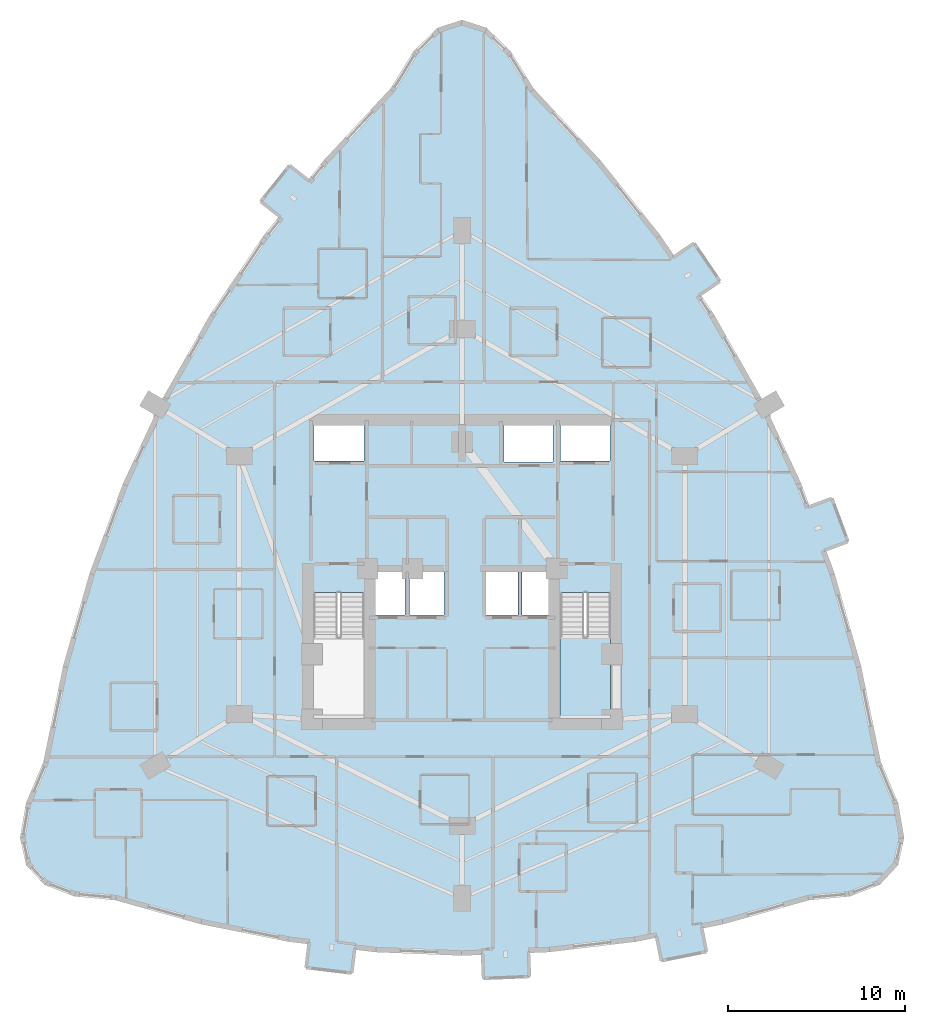
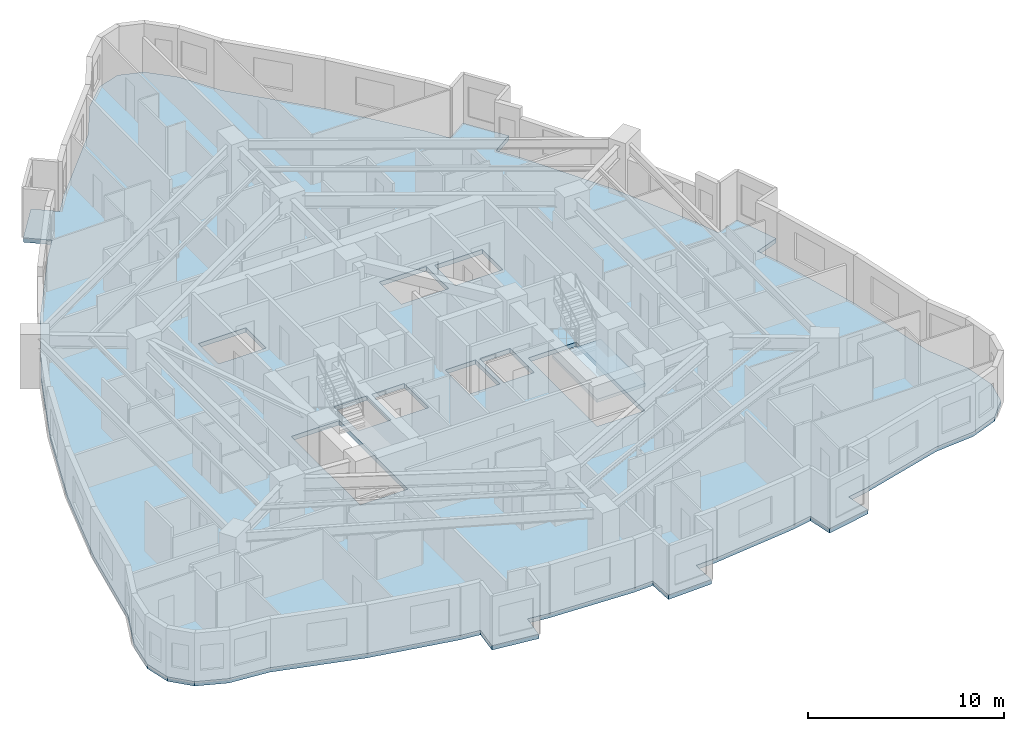
# One storey, part 4 of 15: 2 slabs, 1 element without a shape of its own.
"""IFC4 building model written with IfcOpenShell, lengths in metres."""

from ifc_helpers import new_model, si_unit, direction, frame, origin, place, context, subcontext, project, spatial, polyline, outline, extrude, material, layer, layer_set, type_object, element, aggregate, save


model = new_model("IFC4")

# Units and contexts
model_context = context("Model", 3, precision=1e-05, world=origin(), true_north=direction((0.0, 1.0)))
body_context = subcontext(model_context, "Body", "Model", "MODEL_VIEW")
ifc_project = project(units=[si_unit("LENGTHUNIT", "METRE"), si_unit("AREAUNIT", "SQUARE_METRE"), si_unit("VOLUMEUNIT", "CUBIC_METRE"), si_unit("PLANEANGLEUNIT", "RADIAN"), si_unit("MASSUNIT", "GRAM", prefix="KILO")], contexts=[model_context])

# Site, building, storey
site_placement = place(None, origin())
site = spatial("IfcSite", under=ifc_project, at=site_placement, CompositionType="ELEMENT")
building_placement = place(site_placement, origin())
building = spatial("IfcBuilding", under=site, at=building_placement, Name="Miruveldt Soraemaru", CompositionType="ELEMENT")
storey_placement = place(building_placement, frame((0.0, 0.0, 39.39990234375)))
storey = spatial("IfcBuildingStorey", under=building, at=storey_placement, Name="L10", CompositionType="ELEMENT", Elevation=39.39990234375)

# Stair, slab
ifc_material = material(Name="Concrete C40/50 (40 MPa)", Category="concrete")
stair_type = type_object("IfcStairType", Name="STAIR-DL-340", PredefinedType="HALF_TURN_STAIR", material=ifc_material)
stair_placement = place(storey_placement, origin())
stair = element("IfcStair", 1, at=stair_placement, inside=storey, type_object=stair_type, Name="L10 Protected Exit Stair ST-2", PredefinedType="HALF_TURN_STAIR")
ifc_layer_1 = layer(ifc_material, 0.199951171875, Name="Concrete C40/50 (40 MPa)", Category="concrete")
ifc_layer_set_1 = layer_set([ifc_layer_1], Name="Concrete C40/50 (40 MPa)")
slab_type_1 = type_object("IfcSlabType", Name="SLAB-LAND-200", PredefinedType="LANDING", material=ifc_layer_set_1)
slab_1_placement = place(storey_placement, frame((0.0, 0.0, 1.5)))
slab_1 = element("IfcSlab", 2, at=slab_1_placement, type_object=slab_type_1, Name="ST-2 landing 1", PredefinedType="LANDING", context=body_context, shape_type="SweptSolid", body=[
    extrude(outline(polyline([(49.550048828125, 40.197998046875), (49.550048828125, 35.64990234375), (52.39990234375, 35.64990234375), (52.39990234375, 40.197998046875), (49.550048828125, 40.197998046875)])), origin(), (0.0, 0.0, 1.0), 0.2001953125),
])
aggregate(stair, [slab_1])

# Slab
ifc_layer_2 = layer(ifc_material, 0.27490234375, Name="Concrete C40/50 (40 MPa)", Category="concrete")
ifc_layer_set_2 = layer_set([ifc_layer_2], Name="Concrete C40/50 (40 MPa)")
slab_type_2 = type_object("IfcSlabType", Name="SLAB-RES1-275", PredefinedType="FLOOR", material=ifc_layer_set_2)
slab_2_placement = place(storey_placement, frame((0.0, 0.0, -0.27490234375)))
element("IfcSlab", 3, at=slab_2_placement, inside=storey, type_object=slab_type_2, Name="L10 Structural Floor Slab", PredefinedType="FLOOR", context=body_context, shape_type="SweptSolid", body=[
    extrude(outline(polyline([(45.2119140625, 20.860107421875), (45.15283203125, 22.339111328125), (46.451904296875, 22.39111328125), (44.0, 22.29296875), (39.096435546875, 22.489013671875), (36.64453125, 22.783203125), (37.935302734375, 22.62841796875), (37.7587890625, 21.15869140625), (35.177490234375, 21.46875), (35.353759765625, 22.938232421875), (34.192626953125, 23.077392578125), (29.2890625, 24.05810546875), (24.385498046875, 25.43115234375), (22.091796875, 25.64306640625), (20.453369140625, 26.27880859375), (19.47021484375, 27.338134765625), (19.142578125, 28.821533203125), (19.47021484375, 30.728515625), (20.453369140625, 33.059326171875), (21.5732421875, 38.502197265625), (23.073974609375, 43.748779296875), (24.954833984375, 48.79931640625), (27.216552734375, 53.653564453125), (29.858642578125, 58.311767578125), (32.881103515625, 62.773681640625), (34.582763671875, 64.90673828125), (33.77197265625, 63.890380859375), (32.614990234375, 64.8134765625), (34.236328125, 66.845947265625), (35.393310546875, 65.923095703125), (36.2841796875, 67.039794921875), (40.06787109375, 71.109619140625), (41.37841796875, 73.228515625), (42.689208984375, 74.499755859375), (44.0, 74.923583984375), (45.310791015625, 74.499755859375), (46.62158203125, 73.228515625), (47.93212890625, 71.109619140625), (51.7158203125, 67.039794921875), (55.118896484375, 62.773681640625), (55.901123046875, 61.619140625), (57.12646484375, 62.44921875), (58.58447265625, 60.29638671875), (57.359130859375, 59.466552734375), (58.141357421875, 58.311767578125), (60.783447265625, 53.653564453125), (63.045166015625, 48.79931640625), (63.985595703125, 46.27392578125), (63.531982421875, 47.4921875), (64.918701171875, 48.0087890625), (65.826171875, 45.572265625), (64.439208984375, 45.0556640625), (64.926025390625, 43.748779296875), (66.4267578125, 38.502197265625), (67.546630859375, 33.059326171875), (68.52978515625, 30.728515625), (68.857421875, 28.821533203125), (68.52978515625, 27.338134765625), (67.546630859375, 26.27880859375), (65.908203125, 25.64306640625), (63.614501953125, 25.43115234375), (58.7109375, 24.05810546875), (57.533935546875, 23.82275390625), (57.82421875, 22.37158203125), (55.2744140625, 21.861572265625), (54.984375, 23.31298828125), (53.807373046875, 23.077392578125), (48.903564453125, 22.489013671875), (47.750732421875, 22.44287109375), (47.809814453125, 20.964111328125), (45.2119140625, 20.860107421875)]), holes=[polyline([(35.614990234375, 35.6650390625), (38.43505859375, 35.6650390625), (38.43505859375, 42.68505859375), (35.614990234375, 42.68505859375), (35.614990234375, 35.6650390625)]), polyline([(49.56494140625, 35.6650390625), (52.385009765625, 35.6650390625), (52.385009765625, 42.68505859375), (49.56494140625, 42.68505859375), (49.56494140625, 35.6650390625)]), polyline([(40.764892578125, 41.4150390625), (40.764892578125, 43.885009765625), (38.81494140625, 43.885009765625), (38.81494140625, 41.4150390625), (40.764892578125, 41.4150390625)]), polyline([(42.965087890625, 41.4150390625), (42.965087890625, 43.885009765625), (41.034912109375, 43.885009765625), (41.034912109375, 41.4150390625), (42.965087890625, 41.4150390625)]), polyline([(47.1650390625, 41.4150390625), (47.1650390625, 43.885009765625), (45.364990234375, 43.885009765625), (45.364990234375, 41.4150390625), (47.1650390625, 41.4150390625)]), polyline([(49.18505859375, 41.4150390625), (49.18505859375, 43.885009765625), (47.39501953125, 43.885009765625), (47.39501953125, 41.4150390625), (49.18505859375, 41.4150390625)]), polyline([(38.445068359375, 50.135009765625), (38.445068359375, 52.205078125), (35.635009765625, 52.205078125), (35.635009765625, 50.135009765625), (38.445068359375, 50.135009765625)]), polyline([(49.554931640625, 50.135009765625), (52.364990234375, 50.135009765625), (52.364990234375, 52.205078125), (49.554931640625, 52.205078125), (49.554931640625, 50.135009765625)]), polyline([(46.364990234375, 50.06494140625), (49.135009765625, 50.06494140625), (49.135009765625, 52.3349609375), (46.364990234375, 52.3349609375), (46.364990234375, 50.06494140625)])]), origin(), (0.0, 0.0, 1.0), 0.27490234375),
])

save(model, "model.ifc")
